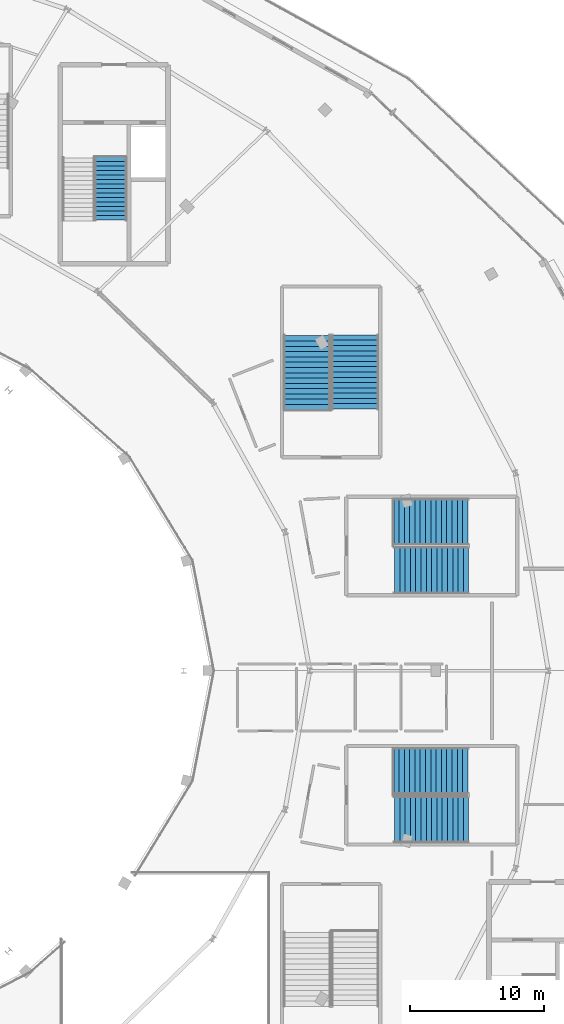
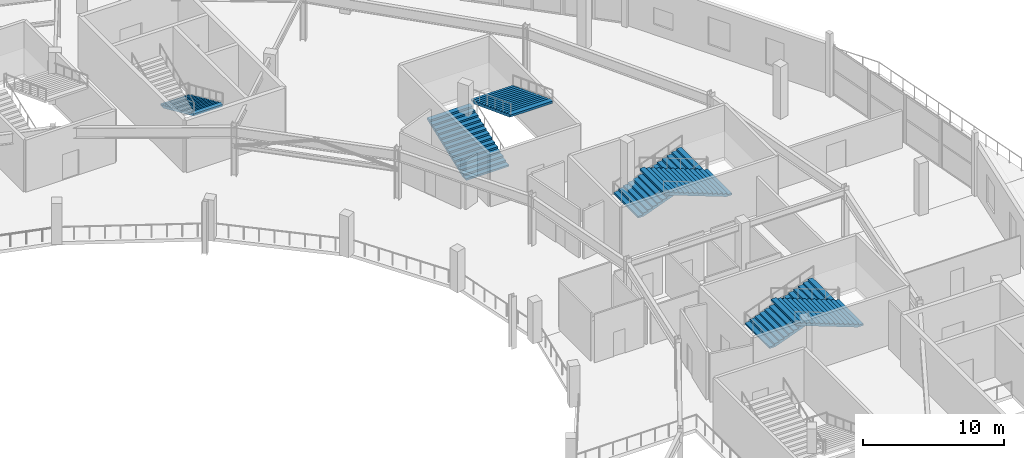
# One storey, part 97 of 123: 7 stair flights, 4 elements without a shape of their own.
"""IFC4 building model written with IfcOpenShell, lengths in metres."""

from ifc_helpers import new_model, si_unit, direction, frame, origin, place, context, subcontext, project, spatial, polyline, outline, extrude, material, type_object, element, aggregate, save


model = new_model("IFC4")

# Units and contexts
model_context = context("Model", 3, precision=1e-05, world=origin(), true_north=direction((0.0, 1.0)))
body_context = subcontext(model_context, "Body", "Model", "MODEL_VIEW")
ifc_project = project(units=[si_unit("LENGTHUNIT", "METRE"), si_unit("AREAUNIT", "SQUARE_METRE"), si_unit("VOLUMEUNIT", "CUBIC_METRE"), si_unit("PLANEANGLEUNIT", "RADIAN"), si_unit("MASSUNIT", "GRAM", prefix="KILO")], contexts=[model_context])

# Site, building, storey
site_placement = place(None, origin())
site = spatial("IfcSite", under=ifc_project, at=site_placement, CompositionType="ELEMENT")
building_placement = place(site_placement, origin())
building = spatial("IfcBuilding", under=site, at=building_placement, Name="Kalgoora Escarpment Arena", CompositionType="ELEMENT")
storey_placement = place(building_placement, frame((0.0, 0.0, 9.89990234375)))
storey = spatial("IfcBuildingStorey", under=building, at=storey_placement, Name="L02", CompositionType="ELEMENT", Elevation=9.89990234375)

# Stair, stair flight
ifc_material_1 = material(Name="Concrete N40 (fc' 40 MPa)", Category="concrete")
stair_type_1 = type_object("IfcStairType", Name="STR-EXIT-4", PredefinedType="HALF_TURN_STAIR", material=ifc_material_1)
stair_1_placement = place(storey_placement, origin())
stair_1 = element("IfcStair", 1, at=stair_1_placement, inside=storey, type_object=stair_type_1, Name="Fire-isolated exit stair ST04 (L02)", PredefinedType="HALF_TURN_STAIR")
ifc_material_2 = material(Name="Concrete N40 (fc' 40 MPa)", Category="concrete")
stair_flight_type_1 = type_object("IfcStairFlightType", Name="FLT-EXIT-4", PredefinedType="STRAIGHT", material=ifc_material_2)
stair_flight_1_placement = place(storey_placement, frame((131.552490234375, 102.330078125, 0.0), z_axis=(0.0, 0.0, 1.0), x_axis=(0.0, -1.0, 0.0)))
stair_flight_1 = element("IfcStairFlight", 2, at=stair_flight_1_placement, type_object=stair_flight_type_1, Name="ST04 L02 lower flight", NumberOfRisers=15, NumberOfTreads=14, PredefinedType="STRAIGHT", RiserHeight=0.15, TreadLength=0.335, context=body_context, shape_type="SweptSolid", body=[
    extrude(outline(polyline([(0.0, 0.0), (0.0, 0.14990234375), (0.3349609375, 0.14990234375), (0.3349609375, 0.300048828125), (0.669921875, 0.300048828125), (0.669921875, 0.449951171875), (1.0048828125, 0.449951171875), (1.0048828125, 0.60009765625), (1.340087890625, 0.60009765625), (1.340087890625, 0.75), (1.675048828125, 0.75), (1.675048828125, 0.89990234375), (2.010009765625, 0.89990234375), (2.010009765625, 1.050048828125), (2.344970703125, 1.050048828125), (2.344970703125, 1.199951171875), (2.679931640625, 1.199951171875), (2.679931640625, 1.35009765625), (3.014892578125, 1.35009765625), (3.014892578125, 1.5), (3.35009765625, 1.5), (3.35009765625, 1.64990234375), (3.68505859375, 1.64990234375), (3.68505859375, 1.800048828125), (4.02001953125, 1.800048828125), (4.02001953125, 1.949951171875), (4.35498046875, 1.949951171875), (4.35498046875, 2.10009765625), (4.68994140625, 2.10009765625), (4.68994140625, 2.25), (4.68994140625, 1.913818359375), (0.415771484375, 0.0), (0.0, 0.0)])), frame((0.0, 1.197509765625, 0.0), z_axis=(0.0, -1.0, 0.0), x_axis=(1.0, 0.0, 0.0)), (0.0, 0.0, 1.0), 2.39501953125),
])
aggregate(stair_1, [stair_flight_1])

# Stair, stair flights
ifc_material_3 = material(Name="Precast concrete N50 (fc' 50 MPa)", Category="concrete")
stair_type_2 = type_object("IfcStairType", Name="STR-STAD-1", PredefinedType="HALF_TURN_STAIR", material=ifc_material_3)
stair_2_placement = place(storey_placement, origin())
stair_2 = element("IfcStair", 3, at=stair_2_placement, inside=storey, type_object=stair_type_2, Name="Fire-isolated exit stair ST21 (L02)", PredefinedType="HALF_TURN_STAIR")
ifc_material_4 = material(Name="Precast concrete N50 (fc' 50 MPa)", Category="concrete")
stair_flight_type_2 = type_object("IfcStairFlightType", Name="FLT-STAD-1", PredefinedType="STRAIGHT", material=ifc_material_4)
stair_flight_2_placement = place(storey_placement, frame((152.669921875, 75.107421875, 0.0), z_axis=(0.0, 0.0, 1.0), x_axis=(1.0, 0.0, 0.0)))
stair_flight_2 = element("IfcStairFlight", 4, at=stair_flight_2_placement, type_object=stair_flight_type_2, Name="ST21 L02 lower flight", NumberOfRisers=15, NumberOfTreads=14, PredefinedType="STRAIGHT", RiserHeight=0.15, TreadLength=0.395, context=body_context, shape_type="SweptSolid", body=[
    extrude(outline(polyline([(0.0, 0.0), (0.0, 0.14990234375), (0.39501953125, 0.14990234375), (0.39501953125, 0.300048828125), (0.7900390625, 0.300048828125), (0.7900390625, 0.449951171875), (1.18505859375, 0.449951171875), (1.18505859375, 0.60009765625), (1.580078125, 0.60009765625), (1.580078125, 0.75), (1.97509765625, 0.75), (1.97509765625, 0.89990234375), (2.3701171875, 0.89990234375), (2.3701171875, 1.050048828125), (2.764892578125, 1.050048828125), (2.764892578125, 1.199951171875), (3.159912109375, 1.199951171875), (3.159912109375, 1.35009765625), (3.554931640625, 1.35009765625), (3.554931640625, 1.5), (3.949951171875, 1.5), (3.949951171875, 1.64990234375), (4.344970703125, 1.64990234375), (4.344970703125, 1.800048828125), (4.739990234375, 1.800048828125), (4.739990234375, 1.949951171875), (5.135009765625, 1.949951171875), (5.135009765625, 2.10009765625), (5.530029296875, 2.10009765625), (5.530029296875, 2.25), (5.530029296875, 1.918212890625), (0.478759765625, 0.0), (0.0, 0.0)])), frame((0.0, 1.74267578125, 0.0), z_axis=(0.0, -1.0, 0.0), x_axis=(1.0, 0.0, 0.0)), (0.0, 0.0, 1.0), 3.485107421875),
])
stair_flight_3_placement = place(storey_placement, frame((158.260009765625, 71.492431640625, 2.25), z_axis=(0.0, 0.0, 1.0), x_axis=(-1.0, 0.0, 0.0)))
stair_flight_3 = element("IfcStairFlight", 5, at=stair_flight_3_placement, type_object=stair_flight_type_2, Name="ST21 L02 upper flight", NumberOfRisers=15, NumberOfTreads=14, PredefinedType="STRAIGHT", RiserHeight=0.15, TreadLength=0.395, context=body_context, shape_type="SweptSolid", body=[
    extrude(outline(polyline([(0.0, 0.0), (0.0, 0.14990234375), (0.39501953125, 0.14990234375), (0.39501953125, 0.300048828125), (0.7900390625, 0.300048828125), (0.7900390625, 0.449951171875), (1.18505859375, 0.449951171875), (1.18505859375, 0.60009765625), (1.580078125, 0.60009765625), (1.580078125, 0.75), (1.97509765625, 0.75), (1.97509765625, 0.89990234375), (2.3701171875, 0.89990234375), (2.3701171875, 1.050048828125), (2.764892578125, 1.050048828125), (2.764892578125, 1.199951171875), (3.159912109375, 1.199951171875), (3.159912109375, 1.35009765625), (3.554931640625, 1.35009765625), (3.554931640625, 1.5), (3.949951171875, 1.5), (3.949951171875, 1.64990234375), (4.344970703125, 1.64990234375), (4.344970703125, 1.800048828125), (4.739990234375, 1.800048828125), (4.739990234375, 1.949951171875), (5.135009765625, 1.949951171875), (5.135009765625, 2.10009765625), (5.530029296875, 2.10009765625), (5.530029296875, 2.25), (5.530029296875, 1.918212890625), (0.478759765625, 0.0), (0.0, 0.0)])), frame((0.0, 1.74267578125, 0.0), z_axis=(0.0, -1.0, 0.0), x_axis=(1.0, 0.0, 0.0)), (0.0, 0.0, 1.0), 3.485107421875),
])
aggregate(stair_2, [stair_flight_2, stair_flight_3])

ifc_material_5 = material(Name="Precast concrete N50 (fc' 50 MPa)", Category="concrete")
stair_type_3 = type_object("IfcStairType", Name="STR-STAD-2", PredefinedType="HALF_TURN_STAIR", material=ifc_material_5)
stair_3_placement = place(storey_placement, origin())
stair_3 = element("IfcStair", 6, at=stair_3_placement, inside=storey, type_object=stair_type_3, Name="Fire-isolated exit stair ST22 (L02)", PredefinedType="HALF_TURN_STAIR")
ifc_material_6 = material(Name="Precast concrete N50 (fc' 50 MPa)", Category="concrete")
stair_flight_type_3 = type_object("IfcStairFlightType", Name="FLT-STAD-2", PredefinedType="STRAIGHT", material=ifc_material_6)
stair_flight_4_placement = place(storey_placement, frame((152.669921875, 56.5048828125, 0.0), z_axis=(0.0, 0.0, 1.0), x_axis=(1.0, 0.0, 0.0)))
stair_flight_4 = element("IfcStairFlight", 7, at=stair_flight_4_placement, type_object=stair_flight_type_3, Name="ST22 L02 lower flight", NumberOfRisers=15, NumberOfTreads=14, PredefinedType="STRAIGHT", RiserHeight=0.15, TreadLength=0.395, context=body_context, shape_type="SweptSolid", body=[
    extrude(outline(polyline([(0.0, 0.0), (0.0, 0.14990234375), (0.39501953125, 0.14990234375), (0.39501953125, 0.300048828125), (0.7900390625, 0.300048828125), (0.7900390625, 0.449951171875), (1.18505859375, 0.449951171875), (1.18505859375, 0.60009765625), (1.580078125, 0.60009765625), (1.580078125, 0.75), (1.97509765625, 0.75), (1.97509765625, 0.89990234375), (2.3701171875, 0.89990234375), (2.3701171875, 1.050048828125), (2.764892578125, 1.050048828125), (2.764892578125, 1.199951171875), (3.159912109375, 1.199951171875), (3.159912109375, 1.35009765625), (3.554931640625, 1.35009765625), (3.554931640625, 1.5), (3.949951171875, 1.5), (3.949951171875, 1.64990234375), (4.344970703125, 1.64990234375), (4.344970703125, 1.800048828125), (4.739990234375, 1.800048828125), (4.739990234375, 1.949951171875), (5.135009765625, 1.949951171875), (5.135009765625, 2.10009765625), (5.530029296875, 2.10009765625), (5.530029296875, 2.25), (5.530029296875, 1.918212890625), (0.478759765625, 0.0), (0.0, 0.0)])), frame((0.0, 1.7451171875, 0.0), z_axis=(0.0, -1.0, 0.0), x_axis=(1.0, 0.0, 0.0)), (0.0, 0.0, 1.0), 3.489990234375),
])
stair_flight_5_placement = place(storey_placement, frame((158.260009765625, 52.89501953125, 2.25), z_axis=(0.0, 0.0, 1.0), x_axis=(-1.0, 0.0, 0.0)))
stair_flight_5 = element("IfcStairFlight", 8, at=stair_flight_5_placement, type_object=stair_flight_type_3, Name="ST22 L02 upper flight", NumberOfRisers=15, NumberOfTreads=14, PredefinedType="STRAIGHT", RiserHeight=0.15, TreadLength=0.395, context=body_context, shape_type="SweptSolid", body=[
    extrude(outline(polyline([(0.0, 0.0), (0.0, 0.14990234375), (0.39501953125, 0.14990234375), (0.39501953125, 0.300048828125), (0.7900390625, 0.300048828125), (0.7900390625, 0.449951171875), (1.18505859375, 0.449951171875), (1.18505859375, 0.60009765625), (1.580078125, 0.60009765625), (1.580078125, 0.75), (1.97509765625, 0.75), (1.97509765625, 0.89990234375), (2.3701171875, 0.89990234375), (2.3701171875, 1.050048828125), (2.764892578125, 1.050048828125), (2.764892578125, 1.199951171875), (3.159912109375, 1.199951171875), (3.159912109375, 1.35009765625), (3.554931640625, 1.35009765625), (3.554931640625, 1.5), (3.949951171875, 1.5), (3.949951171875, 1.64990234375), (4.344970703125, 1.64990234375), (4.344970703125, 1.800048828125), (4.739990234375, 1.800048828125), (4.739990234375, 1.949951171875), (5.135009765625, 1.949951171875), (5.135009765625, 2.10009765625), (5.530029296875, 2.10009765625), (5.530029296875, 2.25), (5.530029296875, 1.918212890625), (0.478759765625, 0.0), (0.0, 0.0)])), frame((0.0, 1.7451171875, 0.0), z_axis=(0.0, -1.0, 0.0), x_axis=(1.0, 0.0, 0.0)), (0.0, 0.0, 1.0), 3.489990234375),
])
aggregate(stair_3, [stair_flight_4, stair_flight_5])

ifc_material_7 = material(Name="Precast concrete N50 (fc' 50 MPa)", Category="concrete")
stair_type_4 = type_object("IfcStairType", Name="STR-STAD-3", PredefinedType="HALF_TURN_STAIR", material=ifc_material_7)
stair_4_placement = place(storey_placement, origin())
stair_4 = element("IfcStair", 9, at=stair_4_placement, inside=storey, type_object=stair_type_4, Name="Fire-isolated exit stair ST23 (L02)", PredefinedType="HALF_TURN_STAIR")
ifc_material_8 = material(Name="Precast concrete N50 (fc' 50 MPa)", Category="concrete")
stair_flight_type_4 = type_object("IfcStairFlightType", Name="FLT-STAD-3", PredefinedType="STRAIGHT", material=ifc_material_8)
stair_flight_6_placement = place(storey_placement, frame((146.197509765625, 83.469970703125, 0.0), z_axis=(0.0, 0.0, 1.0), x_axis=(0.0, 1.0, 0.0)))
stair_flight_6 = element("IfcStairFlight", 10, at=stair_flight_6_placement, type_object=stair_flight_type_4, Name="ST23 L02 lower flight", NumberOfRisers=15, NumberOfTreads=14, PredefinedType="STRAIGHT", RiserHeight=0.15, TreadLength=0.395, context=body_context, shape_type="SweptSolid", body=[
    extrude(outline(polyline([(0.0, 0.0), (0.0, 0.14990234375), (0.39501953125, 0.14990234375), (0.39501953125, 0.300048828125), (0.7900390625, 0.300048828125), (0.7900390625, 0.449951171875), (1.18505859375, 0.449951171875), (1.18505859375, 0.60009765625), (1.580078125, 0.60009765625), (1.580078125, 0.75), (1.97509765625, 0.75), (1.97509765625, 0.89990234375), (2.3701171875, 0.89990234375), (2.3701171875, 1.050048828125), (2.764892578125, 1.050048828125), (2.764892578125, 1.199951171875), (3.159912109375, 1.199951171875), (3.159912109375, 1.35009765625), (3.554931640625, 1.35009765625), (3.554931640625, 1.5), (3.949951171875, 1.5), (3.949951171875, 1.64990234375), (4.344970703125, 1.64990234375), (4.344970703125, 1.800048828125), (4.739990234375, 1.800048828125), (4.739990234375, 1.949951171875), (5.135009765625, 1.949951171875), (5.135009765625, 2.10009765625), (5.530029296875, 2.10009765625), (5.530029296875, 2.25), (5.530029296875, 1.918212890625), (0.478759765625, 0.0), (0.0, 0.0)])), frame((0.0, 1.74755859375, 0.0), z_axis=(0.0, -1.0, 0.0), x_axis=(1.0, 0.0, 0.0)), (0.0, 0.0, 1.0), 3.4951171875),
])
stair_flight_7_placement = place(storey_placement, frame((149.802490234375, 89.06005859375, 2.25), z_axis=(0.0, 0.0, 1.0), x_axis=(0.0, -1.0, 0.0)))
stair_flight_7 = element("IfcStairFlight", 11, at=stair_flight_7_placement, type_object=stair_flight_type_4, Name="ST23 L02 upper flight", NumberOfRisers=15, NumberOfTreads=14, PredefinedType="STRAIGHT", RiserHeight=0.15, TreadLength=0.395, context=body_context, shape_type="SweptSolid", body=[
    extrude(outline(polyline([(0.0, 0.0), (0.0, 0.14990234375), (0.39501953125, 0.14990234375), (0.39501953125, 0.300048828125), (0.7900390625, 0.300048828125), (0.7900390625, 0.449951171875), (1.18505859375, 0.449951171875), (1.18505859375, 0.60009765625), (1.580078125, 0.60009765625), (1.580078125, 0.75), (1.97509765625, 0.75), (1.97509765625, 0.89990234375), (2.3701171875, 0.89990234375), (2.3701171875, 1.050048828125), (2.764892578125, 1.050048828125), (2.764892578125, 1.199951171875), (3.159912109375, 1.199951171875), (3.159912109375, 1.35009765625), (3.554931640625, 1.35009765625), (3.554931640625, 1.5), (3.949951171875, 1.5), (3.949951171875, 1.64990234375), (4.344970703125, 1.64990234375), (4.344970703125, 1.800048828125), (4.739990234375, 1.800048828125), (4.739990234375, 1.949951171875), (5.135009765625, 1.949951171875), (5.135009765625, 2.10009765625), (5.530029296875, 2.10009765625), (5.530029296875, 2.25), (5.530029296875, 1.918212890625), (0.478759765625, 0.0), (0.0, 0.0)])), frame((0.0, 1.74755859375, 0.0), z_axis=(0.0, -1.0, 0.0), x_axis=(1.0, 0.0, 0.0)), (0.0, 0.0, 1.0), 3.4951171875),
])
aggregate(stair_4, [stair_flight_6, stair_flight_7])

save(model, "model.ifc")
